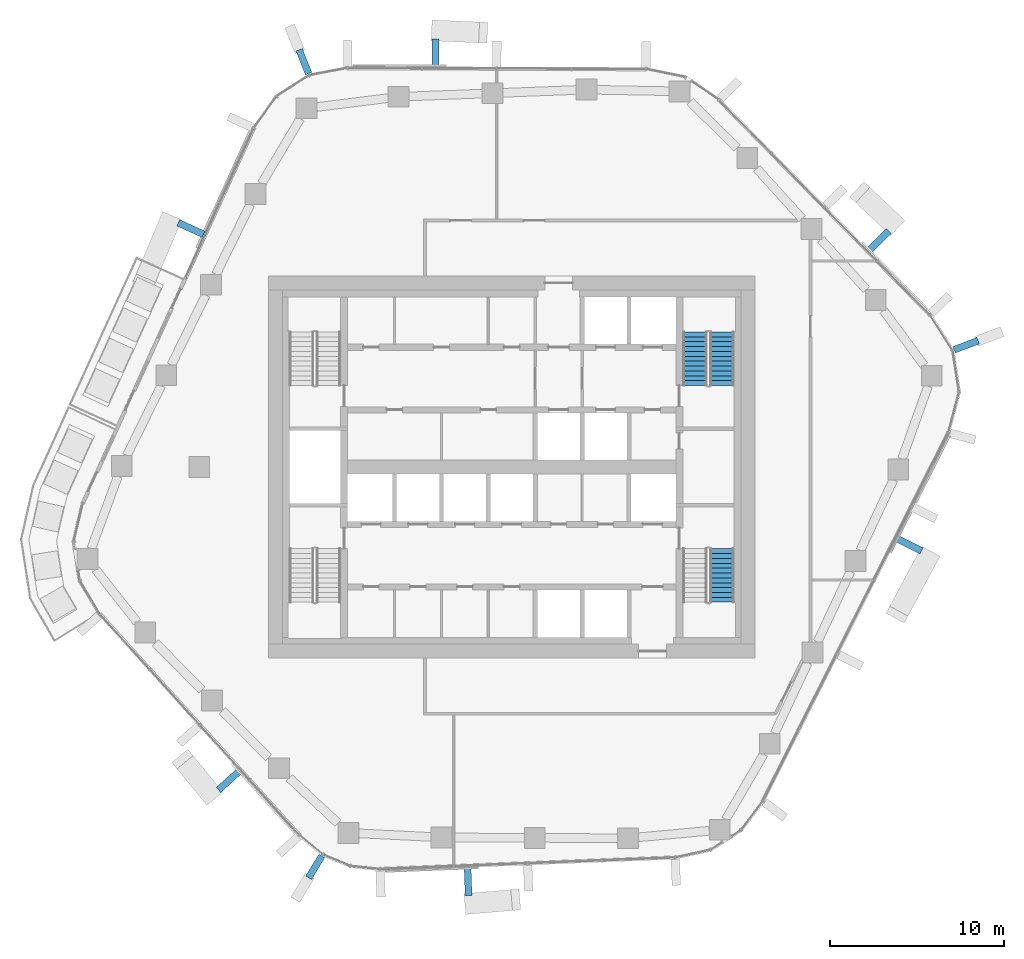
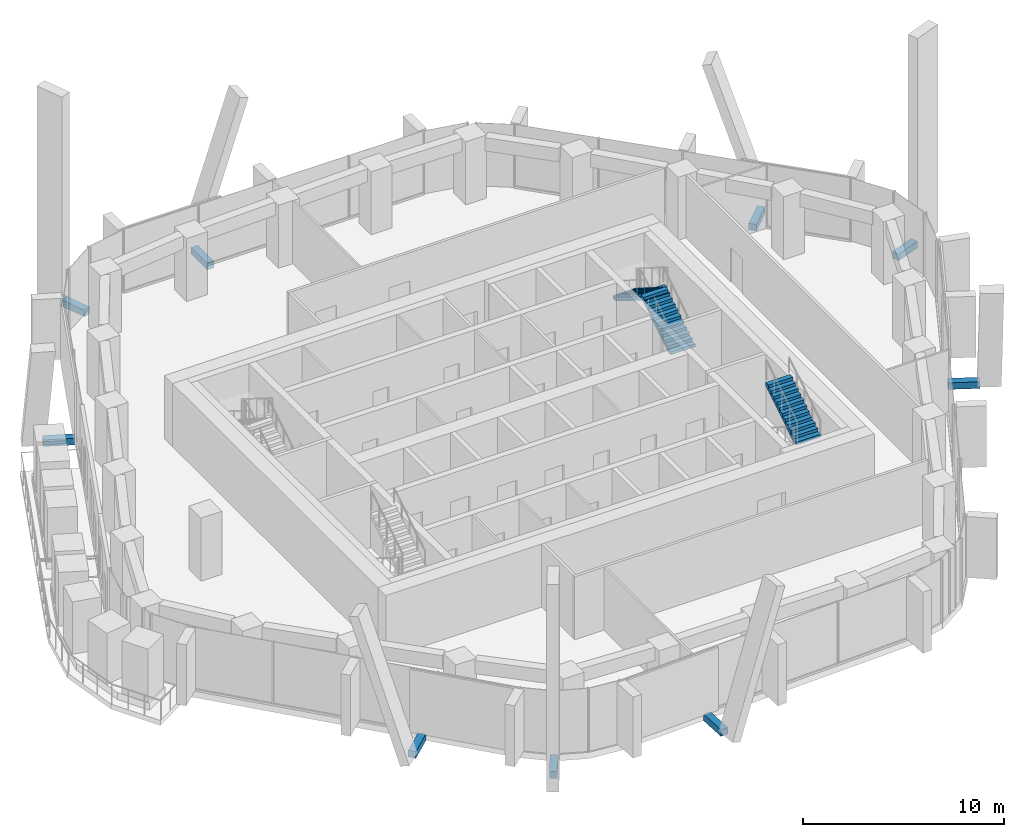
# One storey, part 14 of 19: 9 discrete accessories, 3 stair flights, 2 elements without a shape of their own.
"""IFC4 building model written with IfcOpenShell, lengths in metres."""

from ifc_helpers import new_model, si_unit, direction, frame, origin, origin_2d, place, context, subcontext, project, spatial, polyline, rectangle, outline, extrude, material, layer, layer_set, type_object, element, aggregate, save


model = new_model("IFC4")

# Units and contexts
model_context = context("Model", 3, precision=1e-05, world=origin(), true_north=direction((0.0, 1.0)))
body_context = subcontext(model_context, "Body", "Model", "MODEL_VIEW")
ifc_project = project(units=[si_unit("LENGTHUNIT", "METRE"), si_unit("AREAUNIT", "SQUARE_METRE"), si_unit("VOLUMEUNIT", "CUBIC_METRE"), si_unit("PLANEANGLEUNIT", "RADIAN"), si_unit("MASSUNIT", "GRAM", prefix="KILO")], contexts=[model_context])

# Site, building, storey
site_placement = place(None, origin())
site = spatial("IfcSite", under=ifc_project, at=site_placement, CompositionType="ELEMENT")
building_placement = place(site_placement, origin())
building = spatial("IfcBuilding", under=site, at=building_placement, Name="Dongbaek Canopy Tower", CompositionType="ELEMENT")
storey_placement = place(building_placement, frame((0.0, 0.0, 198.800048828125)))
storey = spatial("IfcBuildingStorey", under=building, at=storey_placement, Name="L41", CompositionType="ELEMENT", Elevation=198.800048828125)

# Stair, stair flights
ifc_material_1 = material(Name="Concrete C40/50", Category="concrete")
stair_type = type_object("IfcStairType", Name="Core exit stair", PredefinedType="HALF_TURN_STAIR", material=ifc_material_1)
stair_1_placement = place(storey_placement, origin())
stair_1 = element("IfcStair", 1, at=stair_1_placement, inside=storey, type_object=stair_type, Name="L41 exit stair A", PredefinedType="HALF_TURN_STAIR")
ifc_material_2 = material(Name="Concrete C40/50", Category="concrete")
ifc_layer = layer(ifc_material_2, 0.14990234375)
ifc_layer_set = layer_set([ifc_layer], Name="Core stair flight 150 waist")
stair_flight_type = type_object("IfcStairFlightType", Name="Core stair flight 150 waist", PredefinedType="STRAIGHT", material=ifc_layer_set)
stair_flight_1_placement = place(storey_placement, frame((12.10009765625, 4.699951171875, 0.0), z_axis=(0.0, 0.0, 1.0), x_axis=(0.0, 1.0, 0.0)))
stair_flight_1 = element("IfcStairFlight", 2, at=stair_flight_1_placement, type_object=stair_flight_type, Name="ST-A flight 1", NumberOfRisers=12, NumberOfTreads=11, PredefinedType="STRAIGHT", RiserHeight=0.175, TreadLength=0.28, context=body_context, shape_type="SweptSolid", body=[
    extrude(outline(polyline([(0.0, 0.0), (0.0, 0.175048828125), (0.280029296875, 0.175048828125), (0.280029296875, 0.35009765625), (0.56005859375, 0.35009765625), (0.56005859375, 0.52490234375), (0.840087890625, 0.52490234375), (0.840087890625, 0.699951171875), (1.1201171875, 0.699951171875), (1.1201171875, 0.875), (1.39990234375, 0.875), (1.39990234375, 1.050048828125), (1.679931640625, 1.050048828125), (1.679931640625, 1.22509765625), (1.9599609375, 1.22509765625), (1.9599609375, 1.39990234375), (2.239990234375, 1.39990234375), (2.239990234375, 1.574951171875), (2.52001953125, 1.574951171875), (2.52001953125, 1.75), (2.800048828125, 1.75), (2.800048828125, 1.925048828125), (3.080078125, 1.925048828125), (3.080078125, 2.10009765625), (3.080078125, 1.748291015625), (0.28271484375, 0.0), (0.0, 0.0)])), frame((0.0, 0.699951171875, 0.0), z_axis=(0.0, -1.0, 0.0), x_axis=(1.0, 0.0, 0.0)), (0.0, 0.0, 1.0), 1.39990234375),
])
stair_flight_2_placement = place(storey_placement, frame((10.550048828125, 7.780029296875, 2.099853515625), z_axis=(0.0, 0.0, 1.0), x_axis=(0.0, -1.0, 0.0)))
stair_flight_2 = element("IfcStairFlight", 3, at=stair_flight_2_placement, type_object=stair_flight_type, Name="ST-A flight 2", NumberOfRisers=12, NumberOfTreads=11, PredefinedType="STRAIGHT", RiserHeight=0.175, TreadLength=0.28, context=body_context, shape_type="SweptSolid", body=[
    extrude(outline(polyline([(0.0, 0.0), (0.0, 0.175048828125), (0.280029296875, 0.175048828125), (0.280029296875, 0.35009765625), (0.56005859375, 0.35009765625), (0.56005859375, 0.52490234375), (0.840087890625, 0.52490234375), (0.840087890625, 0.699951171875), (1.1201171875, 0.699951171875), (1.1201171875, 0.875), (1.39990234375, 0.875), (1.39990234375, 1.050048828125), (1.679931640625, 1.050048828125), (1.679931640625, 1.22509765625), (1.9599609375, 1.22509765625), (1.9599609375, 1.39990234375), (2.239990234375, 1.39990234375), (2.239990234375, 1.574951171875), (2.52001953125, 1.574951171875), (2.52001953125, 1.75), (2.800048828125, 1.75), (2.800048828125, 1.925048828125), (3.080078125, 1.925048828125), (3.080078125, 2.10009765625), (3.080078125, 1.748291015625), (0.28271484375, 0.0), (0.0, 0.0)])), frame((0.0, 0.699951171875, 0.0), z_axis=(0.0, -1.0, 0.0), x_axis=(1.0, 0.0, 0.0)), (0.0, 0.0, 1.0), 1.39990234375),
])
aggregate(stair_1, [stair_flight_1, stair_flight_2])

# Stair, stair flight
stair_2_placement = place(storey_placement, origin())
stair_2 = element("IfcStair", 4, at=stair_2_placement, inside=storey, type_object=stair_type, Name="L41 exit stair B", PredefinedType="HALF_TURN_STAIR")
stair_flight_3_placement = place(storey_placement, frame((12.10009765625, -7.780029296875, 2.099853515625), z_axis=(0.0, 0.0, 1.0), x_axis=(0.0, 1.0, 0.0)))
stair_flight_3 = element("IfcStairFlight", 5, at=stair_flight_3_placement, type_object=stair_flight_type, Name="ST-B flight 2", NumberOfRisers=12, NumberOfTreads=11, PredefinedType="STRAIGHT", RiserHeight=0.175, TreadLength=0.28, context=body_context, shape_type="SweptSolid", body=[
    extrude(outline(polyline([(0.0, 0.0), (0.0, 0.175048828125), (0.280029296875, 0.175048828125), (0.280029296875, 0.35009765625), (0.56005859375, 0.35009765625), (0.56005859375, 0.52490234375), (0.840087890625, 0.52490234375), (0.840087890625, 0.699951171875), (1.1201171875, 0.699951171875), (1.1201171875, 0.875), (1.39990234375, 0.875), (1.39990234375, 1.050048828125), (1.679931640625, 1.050048828125), (1.679931640625, 1.22509765625), (1.9599609375, 1.22509765625), (1.9599609375, 1.39990234375), (2.239990234375, 1.39990234375), (2.239990234375, 1.574951171875), (2.52001953125, 1.574951171875), (2.52001953125, 1.75), (2.800048828125, 1.75), (2.800048828125, 1.925048828125), (3.080078125, 1.925048828125), (3.080078125, 2.10009765625), (3.080078125, 1.748291015625), (0.28271484375, 0.0), (0.0, 0.0)])), frame((0.0, 0.699951171875, 0.0), z_axis=(0.0, -1.0, 0.0), x_axis=(1.0, 0.0, 0.0)), (0.0, 0.0, 1.0), 1.39990234375),
])
aggregate(stair_2, [stair_flight_3])

# Discrete accessories
ifc_material_3 = material(Name="Galvanised steel S355 bracket", Category="steel")
discrete_accessory_type = type_object("IfcDiscreteAccessoryType", Name="Crease fin bracket BR3 400", PredefinedType="BRACKET", material=ifc_material_3)
discrete_accessory_1_placement = place(storey_placement, frame((22.8896484375, -4.47119140625, -0.389892578125), z_axis=(0.0, 0.0, 1.0), x_axis=(0.89328118623, -0.449498300694, 0.0)))
element("IfcDiscreteAccessory", 6, at=discrete_accessory_1_placement, inside=storey, type_object=discrete_accessory_type, Name="Crease fin bracket L41 F5", PredefinedType="BRACKET", context=body_context, shape_type="SweptSolid", body=[
    extrude(rectangle(XDim=1.587890625, YDim=0.39990234375, at=origin_2d()), origin(), (0.0, 0.0, 1.0), 0.39990234375),
])
discrete_accessory_2_placement = place(storey_placement, frame((21.14404296875, 13.033935546875, -0.389892578125), z_axis=(0.0, 0.0, 1.0), x_axis=(0.713782386627, 0.700367549606, 0.0)))
element("IfcDiscreteAccessory", 7, at=discrete_accessory_2_placement, inside=storey, type_object=discrete_accessory_type, Name="Crease fin bracket L41 F0", PredefinedType="BRACKET", context=body_context, shape_type="SweptSolid", body=[
    extrude(rectangle(XDim=1.590576171875, YDim=0.39990234375, at=origin_2d()), origin(), (0.0, 0.0, 1.0), 0.39990234375),
])
discrete_accessory_3_placement = place(storey_placement, frame((-4.387939453125, 23.85888671875, -0.389892578125), z_axis=(0.0, 0.0, 1.0), x_axis=(0.003675655128, 0.999993244757, 0.0)))
element("IfcDiscreteAccessory", 8, at=discrete_accessory_3_placement, inside=storey, type_object=discrete_accessory_type, Name="Crease fin bracket L41 F1", PredefinedType="BRACKET", context=body_context, shape_type="SweptSolid", body=[
    extrude(rectangle(XDim=1.5947265625, YDim=0.39990234375, at=origin_2d()), origin(), (0.0, 0.0, 1.0), 0.39990234375),
])
discrete_accessory_4_placement = place(storey_placement, frame((-18.476318359375, 13.735107421875, -0.389892578125), z_axis=(0.0, 0.0, 1.0), x_axis=(-0.909933041495, 0.414755180794, 0.0)))
element("IfcDiscreteAccessory", 9, at=discrete_accessory_4_placement, inside=storey, type_object=discrete_accessory_type, Name="Crease fin bracket L41 F2", PredefinedType="BRACKET", context=body_context, shape_type="SweptSolid", body=[
    extrude(rectangle(XDim=1.595458984375, YDim=0.39990234375, at=origin_2d()), origin(), (0.0, 0.0, 1.0), 0.39990234375),
])
discrete_accessory_5_placement = place(storey_placement, frame((-16.287353515625, -18.04638671875, -0.389892578125), z_axis=(0.0, 0.0, 1.0), x_axis=(-0.742299876159, -0.670067827801, 0.0)))
element("IfcDiscreteAccessory", 10, at=discrete_accessory_5_placement, inside=storey, type_object=discrete_accessory_type, Name="Crease fin bracket L41 F3", PredefinedType="BRACKET", context=body_context, shape_type="SweptSolid", body=[
    extrude(rectangle(XDim=1.6162109375, YDim=0.39990234375, at=origin_2d()), origin(), (0.0, 0.0, 1.0), 0.39990234375),
])
discrete_accessory_6_placement = place(storey_placement, frame((-2.51708984375, -23.857421875, -0.389892578125), z_axis=(0.0, 0.0, 1.0), x_axis=(0.039275511607, -0.999228419426, 0.0)))
element("IfcDiscreteAccessory", 11, at=discrete_accessory_6_placement, inside=storey, type_object=discrete_accessory_type, Name="Crease fin bracket L41 F4", PredefinedType="BRACKET", context=body_context, shape_type="SweptSolid", body=[
    extrude(rectangle(XDim=1.611083984375, YDim=0.39990234375, at=origin_2d()), origin(), (0.0, 0.0, 1.0), 0.39990234375),
])
for number, where, z_axis, x_axis, name in (
    (12, (26.164794921875, 7.0185546875, -0.389892578125), (0.0, 0.0, 1.0), (0.935235345737, 0.354026620588, 0.0), "Corner fin bracket L41 K0"),
    (13, (-11.97021484375, 23.338134765625, -0.389892578125), (0.0, 0.0, 1.0), (-0.369610535351, 0.929186769254, 0.0), "Corner fin bracket L41 K2"),
    (14, (-11.318603515625, -23.016357421875, -0.389892578125), (0.0, 0.0, 1.0), (-0.51804940258, -0.855350697952, 0.0), "Corner fin bracket L41 K4"),
):
    element("IfcDiscreteAccessory", number, at=place(storey_placement, frame(where, z_axis=z_axis, x_axis=x_axis)), inside=storey, type_object=discrete_accessory_type, Name=name, PredefinedType="BRACKET", context=body_context, shape_type="SweptSolid", body=[
        extrude(rectangle(XDim=1.469970703125, YDim=0.39990234375, at=origin_2d()), origin(), (0.0, 0.0, 1.0), 0.39990234375),
    ])

save(model, "model.ifc")
